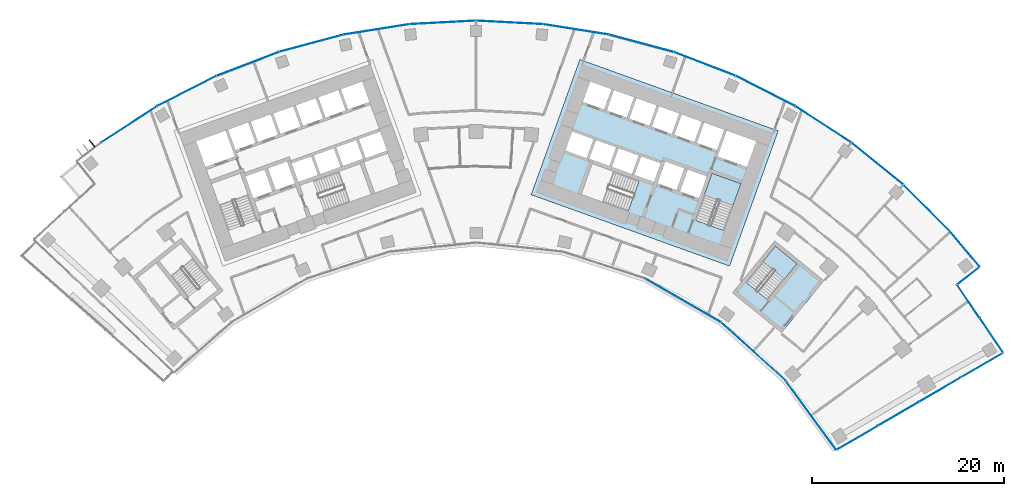
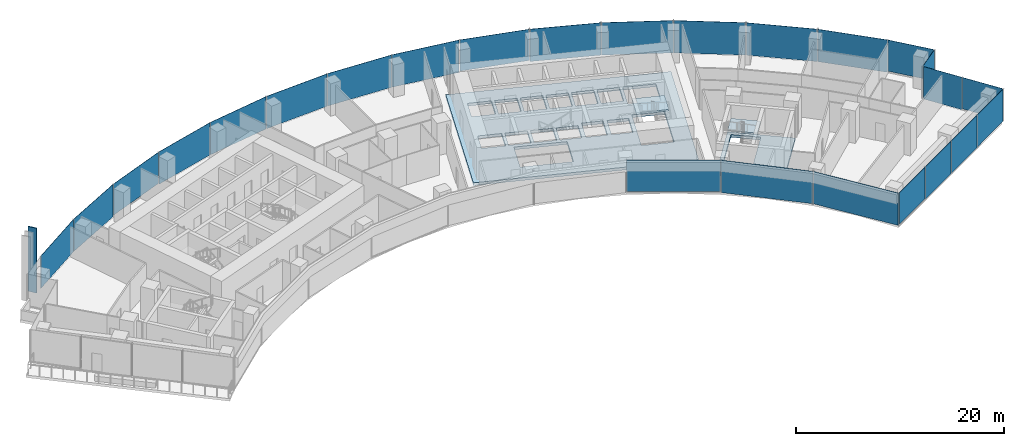
# One storey, part 12 of 20: 26 plates, 4 slabs, 7 elements without a shape of their own.
"""IFC4 building model written with IfcOpenShell, lengths in metres."""

from ifc_helpers import new_model, si_unit, direction, frame, origin, origin_2d, place, context, subcontext, project, spatial, polyline, rectangle, outline, extrude, material, layer, layer_set, type_object, element, aggregate, save


model = new_model("IFC4")

# Units and contexts
model_context = context("Model", 3, precision=1e-05, world=origin(), true_north=direction((0.0, 1.0)))
body_context = subcontext(model_context, "Body", "Model", "MODEL_VIEW")
ifc_project = project(units=[si_unit("LENGTHUNIT", "METRE"), si_unit("AREAUNIT", "SQUARE_METRE"), si_unit("VOLUMEUNIT", "CUBIC_METRE"), si_unit("PLANEANGLEUNIT", "RADIAN"), si_unit("MASSUNIT", "GRAM", prefix="KILO")], contexts=[model_context])

# Site, building, storey
site_placement = place(None, origin())
site = spatial("IfcSite", under=ifc_project, at=site_placement, CompositionType="ELEMENT")
building_placement = place(site_placement, origin())
building = spatial("IfcBuilding", under=site, at=building_placement, Name="Stone Belt Terrace Tower", CompositionType="ELEMENT")
storey_placement = place(building_placement, frame((0.0, 0.0, 125.0)))
storey = spatial("IfcBuildingStorey", under=building, at=storey_placement, Name="L30", CompositionType="ELEMENT", Elevation=125.0)

# Curtain wall, plates
ifc_material_1 = material(Name="Aluminium 6063-T6 anodised frame", Category="aluminium")
ifc_layer_1 = layer(ifc_material_1, 0.14990234375)
ifc_layer_set_1 = layer_set([ifc_layer_1], Name="CW-A unitised convex-face curtain wall")
curtain_wall_type_1 = type_object("IfcCurtainWallType", Name="CW-A unitised convex-face curtain wall", PredefinedType="NOTDEFINED", material=ifc_layer_set_1)
curtain_wall_1_placement = place(storey_placement, origin())
curtain_wall_1 = element("IfcCurtainWall", 1, at=curtain_wall_1_placement, inside=storey, type_object=curtain_wall_type_1, Name="CW-A convex face L30", PredefinedType="NOTDEFINED")
ifc_material_2 = material(Name="Clear double glazed unit")
ifc_layer_2 = layer(ifc_material_2, 0.031982421875)
ifc_layer_set_2 = layer_set([ifc_layer_2], Name="CW-A glass panel 32")
plate_type_1 = type_object("IfcPlateType", Name="CW-A glass panel 32", PredefinedType="CURTAIN_PANEL", material=ifc_layer_set_2)
plate_1_placement = place(storey_placement, frame((50.993896484375, 42.73583984375, 0.14013671875), z_axis=(0.0, 0.0, 1.0), x_axis=(-0.642509184121, 0.766277983711, 0.0)))
plate_1 = element("IfcPlate", 2, at=plate_1_placement, type_object=plate_type_1, Name="CW-A panel 1.1", PredefinedType="CURTAIN_PANEL", context=body_context, shape_type="SweptSolid", body=[
    extrude(rectangle(XDim=4.662841796875, YDim=0.031982421875, at=origin_2d()), origin(), (0.0, 0.0, 1.0), 3.659912109375),
])
plate_2_placement = place(storey_placement, frame((47.01123046875, 47.01123046875, 0.0), z_axis=(0.0, 0.0, 1.0), x_axis=(-0.707106781187, 0.707106781187, 0.0)))
plate_2 = element("IfcPlate", 3, at=plate_2_placement, type_object=plate_type_1, Name="CW-A panel 2.1", PredefinedType="CURTAIN_PANEL", context=body_context, shape_type="SweptSolid", body=[
    extrude(rectangle(XDim=6.90087890625, YDim=0.031982421875, at=origin_2d()), origin(), (0.0, 0.0, 1.0), 3.800048828125),
])
plate_3_placement = place(storey_placement, frame((41.839599609375, 51.667724609375, 0.0), z_axis=(0.0, 0.0, 1.0), x_axis=(-0.777145961457, 0.62932039105, 0.0)))
plate_3 = element("IfcPlate", 4, at=plate_3_placement, type_object=plate_type_1, Name="CW-A panel 3.1", PredefinedType="CURTAIN_PANEL", context=body_context, shape_type="SweptSolid", body=[
    extrude(rectangle(XDim=6.90087890625, YDim=0.031982421875, at=origin_2d()), origin(), (0.0, 0.0, 1.0), 3.800048828125),
])
plate_4_placement = place(storey_placement, frame((36.209716796875, 55.758056640625, 0.0), z_axis=(0.0, 0.0, 1.0), x_axis=(-0.838670567945, 0.544639035015, 0.0)))
plate_4 = element("IfcPlate", 5, at=plate_4_placement, type_object=plate_type_1, Name="CW-A panel 4.1", PredefinedType="CURTAIN_PANEL", context=body_context, shape_type="SweptSolid", body=[
    extrude(rectangle(XDim=6.90087890625, YDim=0.031982421875, at=origin_2d()), origin(), (0.0, 0.0, 1.0), 3.800048828125),
])
plate_5_placement = place(storey_placement, frame((30.18310546875, 59.237548828125, 0.0), z_axis=(0.0, 0.0, 1.0), x_axis=(-0.891006524188, 0.45399049974, 0.0)))
plate_5 = element("IfcPlate", 6, at=plate_5_placement, type_object=plate_type_1, Name="CW-A panel 5.1", PredefinedType="CURTAIN_PANEL", context=body_context, shape_type="SweptSolid", body=[
    extrude(rectangle(XDim=6.90087890625, YDim=0.031982421875, at=origin_2d()), origin(), (0.0, 0.0, 1.0), 3.800048828125),
])
plate_6_placement = place(storey_placement, frame((23.82568359375, 62.068115234375, 0.0), z_axis=(0.0, 0.0, 1.0), x_axis=(-0.933580426497, 0.358367949545, 0.0)))
plate_6 = element("IfcPlate", 7, at=plate_6_placement, type_object=plate_type_1, Name="CW-A panel 6.1", PredefinedType="CURTAIN_PANEL", context=body_context, shape_type="SweptSolid", body=[
    extrude(rectangle(XDim=6.90087890625, YDim=0.031982421875, at=origin_2d()), origin(), (0.0, 0.0, 1.0), 3.800048828125),
])
plate_7_placement = place(storey_placement, frame((17.207275390625, 64.218505859375, 0.14013671875), z_axis=(0.0, 0.0, 1.0), x_axis=(-0.965925826289, 0.258819045103, 0.0)))
plate_7 = element("IfcPlate", 8, at=plate_7_placement, type_object=plate_type_1, Name="CW-A panel 7.1", PredefinedType="CURTAIN_PANEL", context=body_context, shape_type="SweptSolid", body=[
    extrude(rectangle(XDim=6.90087890625, YDim=0.031982421875, at=origin_2d()), origin(), (0.0, 0.0, 1.0), 3.659912109375),
])
plate_8_placement = place(storey_placement, frame((10.400390625, 65.665283203125, 0.0), z_axis=(0.0, 0.0, 1.0), x_axis=(-0.987688340595, 0.15643446504, 0.0)))
plate_8 = element("IfcPlate", 9, at=plate_8_placement, type_object=plate_type_1, Name="CW-A panel 8.1", PredefinedType="CURTAIN_PANEL", context=body_context, shape_type="SweptSolid", body=[
    extrude(rectangle(XDim=6.90087890625, YDim=0.031982421875, at=origin_2d()), origin(), (0.0, 0.0, 1.0), 3.800048828125),
])
plate_9_placement = place(storey_placement, frame((3.4794921875, 66.392822265625, 0.0), z_axis=(0.0, 0.0, 1.0), x_axis=(-0.998629534755, 0.052335956243, 0.0)))
plate_9 = element("IfcPlate", 10, at=plate_9_placement, type_object=plate_type_1, Name="CW-A panel 9.1", PredefinedType="CURTAIN_PANEL", context=body_context, shape_type="SweptSolid", body=[
    extrude(rectangle(XDim=6.90087890625, YDim=0.031982421875, at=origin_2d()), origin(), (0.0, 0.0, 1.0), 3.800048828125),
])
plate_10_placement = place(storey_placement, frame((-3.4794921875, 66.392822265625, 0.0), z_axis=(0.0, 0.0, 1.0), x_axis=(-0.998629534755, -0.052335956243, 0.0)))
plate_10 = element("IfcPlate", 11, at=plate_10_placement, type_object=plate_type_1, Name="CW-A panel 10.1", PredefinedType="CURTAIN_PANEL", context=body_context, shape_type="SweptSolid", body=[
    extrude(rectangle(XDim=6.90087890625, YDim=0.031982421875, at=origin_2d()), origin(), (0.0, 0.0, 1.0), 3.800048828125),
])
plate_11_placement = place(storey_placement, frame((-10.400390625, 65.665283203125, 0.0), z_axis=(0.0, 0.0, 1.0), x_axis=(-0.987688340595, -0.15643446504, 0.0)))
plate_11 = element("IfcPlate", 12, at=plate_11_placement, type_object=plate_type_1, Name="CW-A panel 11.1", PredefinedType="CURTAIN_PANEL", context=body_context, shape_type="SweptSolid", body=[
    extrude(rectangle(XDim=6.90087890625, YDim=0.031982421875, at=origin_2d()), origin(), (0.0, 0.0, 1.0), 3.800048828125),
])
plate_12_placement = place(storey_placement, frame((-17.207275390625, 64.218505859375, 0.0), z_axis=(0.0, 0.0, 1.0), x_axis=(-0.965925826289, -0.258819045103, 0.0)))
plate_12 = element("IfcPlate", 13, at=plate_12_placement, type_object=plate_type_1, Name="CW-A panel 12.1", PredefinedType="CURTAIN_PANEL", context=body_context, shape_type="SweptSolid", body=[
    extrude(rectangle(XDim=6.90087890625, YDim=0.031982421875, at=origin_2d()), origin(), (0.0, 0.0, 1.0), 3.800048828125),
])
plate_13_placement = place(storey_placement, frame((-23.82568359375, 62.068115234375, 0.14013671875), z_axis=(0.0, 0.0, 1.0), x_axis=(-0.933580426497, -0.358367949545, 0.0)))
plate_13 = element("IfcPlate", 14, at=plate_13_placement, type_object=plate_type_1, Name="CW-A panel 13.1", PredefinedType="CURTAIN_PANEL", context=body_context, shape_type="SweptSolid", body=[
    extrude(rectangle(XDim=6.90087890625, YDim=0.031982421875, at=origin_2d()), origin(), (0.0, 0.0, 1.0), 3.659912109375),
])
plate_14_placement = place(storey_placement, frame((-30.18310546875, 59.237548828125, 0.0), z_axis=(0.0, 0.0, 1.0), x_axis=(-0.891006524188, -0.45399049974, 0.0)))
plate_14 = element("IfcPlate", 15, at=plate_14_placement, type_object=plate_type_1, Name="CW-A panel 14.1", PredefinedType="CURTAIN_PANEL", context=body_context, shape_type="SweptSolid", body=[
    extrude(rectangle(XDim=6.90087890625, YDim=0.031982421875, at=origin_2d()), origin(), (0.0, 0.0, 1.0), 3.800048828125),
])
plate_15_placement = place(storey_placement, frame((-36.209716796875, 55.758056640625, 0.0), z_axis=(0.0, 0.0, 1.0), x_axis=(-0.838670567945, -0.544639035015, 0.0)))
plate_15 = element("IfcPlate", 16, at=plate_15_placement, type_object=plate_type_1, Name="CW-A panel 15.1", PredefinedType="CURTAIN_PANEL", context=body_context, shape_type="SweptSolid", body=[
    extrude(rectangle(XDim=6.900634765625, YDim=0.031982421875, at=origin_2d()), origin(), (0.0, 0.0, 1.0), 3.800048828125),
])
aggregate(curtain_wall_1, [plate_1, plate_2, plate_3, plate_4, plate_5, plate_6, plate_7, plate_8, plate_9, plate_10, plate_11, plate_12, plate_13, plate_14, plate_15])

ifc_layer_3 = layer(ifc_material_1, 0.14990234375)
ifc_layer_set_3 = layer_set([ifc_layer_3], Name="CW-B unitised concave-face curtain wall")
curtain_wall_type_2 = type_object("IfcCurtainWallType", Name="CW-B unitised concave-face curtain wall", PredefinedType="NOTDEFINED", material=ifc_layer_set_3)
curtain_wall_2_placement = place(storey_placement, origin())
curtain_wall_2 = element("IfcCurtainWall", 17, at=curtain_wall_2_placement, inside=storey, type_object=curtain_wall_type_2, Name="CW-B concave face L30", PredefinedType="NOTDEFINED")
ifc_layer_4 = layer(ifc_material_2, 0.030029296875)
ifc_layer_set_4 = layer_set([ifc_layer_4], Name="CW-B glass panel 30")
plate_type_2 = type_object("IfcPlateType", Name="CW-B glass panel 30", PredefinedType="CURTAIN_PANEL", material=ifc_layer_set_4)
plate_16_placement = place(storey_placement, frame((21.59326171875, 37.40087890625, 0.1201171875), z_axis=(0.0, 0.0, 1.0), x_axis=(0.866025403784, -0.5, 0.0)))
plate_16 = element("IfcPlate", 18, at=plate_16_placement, type_object=plate_type_2, Name="CW-B panel 7.1", PredefinedType="CURTAIN_PANEL", context=body_context, shape_type="SweptSolid", body=[
    extrude(rectangle(XDim=9.0126953125, YDim=0.030029296875, at=origin_2d()), origin(), (0.0, 0.0, 1.0), 3.679931640625),
])
plate_17_placement = place(storey_placement, frame((28.897705078125, 32.093994140625, 0.0), z_axis=(0.0, 0.0, 1.0), x_axis=(0.743144825477, -0.669130606359, 0.0)))
plate_17 = element("IfcPlate", 19, at=plate_17_placement, type_object=plate_type_2, Name="CW-B panel 8.1", PredefinedType="CURTAIN_PANEL", context=body_context, shape_type="SweptSolid", body=[
    extrude(rectangle(XDim=9.012939453125, YDim=0.030029296875, at=origin_2d()), origin(), (0.0, 0.0, 1.0), 3.800048828125),
])
plate_18_placement = place(storey_placement, frame((34.91162109375, 25.435546875, 0.0), z_axis=(0.0, 0.0, 1.0), x_axis=(0.589224850374, -0.80796910566, 0.0)))
plate_18 = element("IfcPlate", 20, at=plate_18_placement, type_object=plate_type_2, Name="CW-B panel 9.1", PredefinedType="CURTAIN_PANEL", context=body_context, shape_type="SweptSolid", body=[
    extrude(rectangle(XDim=8.898193359375, YDim=0.030029296875, at=origin_2d()), origin(), (0.0, 0.0, 1.0), 3.800048828125),
])
aggregate(curtain_wall_2, [plate_16, plate_17, plate_18])

ifc_layer_5 = layer(ifc_material_1, 0.14990234375)
ifc_layer_set_5 = layer_set([ifc_layer_5], Name="CW-C stick curtain wall, horn ends and notches")
curtain_wall_type_3 = type_object("IfcCurtainWallType", Name="CW-C stick curtain wall, horn ends and notches", PredefinedType="NOTDEFINED", material=ifc_layer_set_5)
curtain_wall_3_placement = place(storey_placement, origin())
curtain_wall_3 = element("IfcCurtainWall", 21, at=curtain_wall_3_placement, inside=storey, type_object=curtain_wall_type_3, Name="CW-C end face L30", PredefinedType="NOTDEFINED")
ifc_layer_6 = layer(ifc_material_2, 0.028076171875)
ifc_layer_set_6 = layer_set([ifc_layer_6], Name="CW-C glass panel 28")
plate_type_3 = type_object("IfcPlateType", Name="CW-C glass panel 28", PredefinedType="CURTAIN_PANEL", material=ifc_layer_set_6)
plate_19_placement = place(storey_placement, frame((39.781982421875, 23.070556640625, 0.1201171875), z_axis=(0.0, 0.0, 1.0), x_axis=(0.864239322284, 0.503080901861, 0.0)))
plate_19 = element("IfcPlate", 22, at=plate_19_placement, type_object=plate_type_3, Name="CW-C panel 1.1", PredefinedType="CURTAIN_PANEL", context=body_context, shape_type="SweptSolid", body=[
    extrude(rectangle(XDim=4.965087890625, YDim=0.028076171875, at=origin_2d()), origin(), (0.0, 0.0, 1.0), 3.679931640625),
])
plate_20_placement = place(storey_placement, frame((44.114013671875, 25.59228515625, 0.0), z_axis=(0.0, 0.0, 1.0), x_axis=(0.864239322284, 0.503080901861, 0.0)))
plate_20 = element("IfcPlate", 23, at=plate_20_placement, type_object=plate_type_3, Name="CW-C panel 2.1", PredefinedType="CURTAIN_PANEL", context=body_context, shape_type="SweptSolid", body=[
    extrude(rectangle(XDim=4.93994140625, YDim=0.028076171875, at=origin_2d()), origin(), (0.0, 0.0, 1.0), 3.800048828125),
])
plate_21_placement = place(storey_placement, frame((48.43505859375, 28.107666015625, 0.0), z_axis=(0.0, 0.0, 1.0), x_axis=(0.864239322284, 0.503080901861, 0.0)))
plate_21 = element("IfcPlate", 24, at=plate_21_placement, type_object=plate_type_3, Name="CW-C panel 3.1", PredefinedType="CURTAIN_PANEL", context=body_context, shape_type="SweptSolid", body=[
    extrude(rectangle(XDim=4.93994140625, YDim=0.028076171875, at=origin_2d()), origin(), (0.0, 0.0, 1.0), 3.800048828125),
])
plate_22_placement = place(storey_placement, frame((52.771484375, 30.6318359375, 0.0), z_axis=(0.0, 0.0, 1.0), x_axis=(0.864239322284, 0.503080901861, 0.0)))
plate_22 = element("IfcPlate", 25, at=plate_22_placement, type_object=plate_type_3, Name="CW-C panel 4.1", PredefinedType="CURTAIN_PANEL", context=body_context, shape_type="SweptSolid", body=[
    extrude(rectangle(XDim=4.974853515625, YDim=0.028076171875, at=origin_2d()), origin(), (0.0, 0.0, 1.0), 3.800048828125),
])
aggregate(curtain_wall_3, [plate_19, plate_20, plate_21, plate_22])

curtain_wall_4_placement = place(storey_placement, origin())
curtain_wall_4 = element("IfcCurtainWall", 26, at=curtain_wall_4_placement, inside=storey, type_object=curtain_wall_type_3, Name="CW-C notch face L30", PredefinedType="NOTDEFINED")
plate_23_placement = place(storey_placement, frame((53.748046875, 33.751220703125, 0.1201171875), z_axis=(0.0, 0.0, 1.0), x_axis=(-0.560367245622, 0.828244257471, 0.0)))
plate_23 = element("IfcPlate", 27, at=plate_23_placement, type_object=plate_type_3, Name="CW-C panel 1.1", PredefinedType="CURTAIN_PANEL", context=body_context, shape_type="SweptSolid", body=[
    extrude(rectangle(XDim=4.268798828125, YDim=0.028076171875, at=origin_2d()), origin(), (0.0, 0.0, 1.0), 3.679931640625),
])
plate_24_placement = place(storey_placement, frame((51.364013671875, 37.275146484375, 0.0), z_axis=(0.0, 0.0, 1.0), x_axis=(-0.560367245622, 0.828244257471, 0.0)))
plate_24 = element("IfcPlate", 28, at=plate_24_placement, type_object=plate_type_3, Name="CW-C panel 2.1", PredefinedType="CURTAIN_PANEL", context=body_context, shape_type="SweptSolid", body=[
    extrude(rectangle(XDim=4.12060546875, YDim=0.028076171875, at=origin_2d()), origin(), (0.0, 0.0, 1.0), 3.800048828125),
])
aggregate(curtain_wall_4, [plate_23, plate_24])

# Curtain wall, plate
curtain_wall_5_placement = place(storey_placement, origin())
curtain_wall_5 = element("IfcCurtainWall", 29, at=curtain_wall_5_placement, inside=storey, type_object=curtain_wall_type_3, Name="CW-C notch face L30", PredefinedType="NOTDEFINED")
plate_25_placement = place(storey_placement, frame((51.353515625, 39.966552734375, 0.1201171875), z_axis=(0.0, 0.0, 1.0), x_axis=(0.788458012337, 0.615088581248, 0.0)))
plate_25 = element("IfcPlate", 30, at=plate_25_placement, type_object=plate_type_3, Name="CW-C panel 1.1", PredefinedType="CURTAIN_PANEL", context=body_context, shape_type="SweptSolid", body=[
    extrude(rectangle(XDim=2.859619140625, YDim=0.028076171875, at=origin_2d()), origin(), (0.0, 0.0, 1.0), 3.679931640625),
])
aggregate(curtain_wall_5, [plate_25])

# Slabs
ifc_material_3 = material(Name="Concrete B40", Category="concrete")
ifc_layer_7 = layer(ifc_material_3, 0.320068359375)
ifc_layer_set_7 = layer_set([ifc_layer_7], Name="Core floor slab 320")
slab_type_1 = type_object("IfcSlabType", Name="Core floor slab 320", PredefinedType="FLOOR", material=ifc_layer_set_7)
slab_1_placement = place(storey_placement, frame((0.0, 0.0, -0.320068359375)))
element("IfcSlab", 31, at=slab_1_placement, inside=storey, type_object=slab_type_1, Name="Core B floor L30", PredefinedType="FLOOR", context=body_context, shape_type="SweptSolid", body=[
    extrude(outline(polyline([(26.43505859375, 40.968994140625), (31.513916015625, 55.0830078125), (10.81396484375, 62.531982421875), (5.735107421875, 48.4189453125), (26.43505859375, 40.968994140625)]), holes=[polyline([(12.10595703125, 51.652099609375), (16.998046875, 49.89208984375), (15.846923828125, 46.69189453125), (10.955078125, 48.452880859375), (12.10595703125, 51.652099609375)]), polyline([(19.239990234375, 51.68896484375), (18.5458984375, 49.760009765625), (16.52294921875, 50.488037109375), (17.217041015625, 52.4169921875), (19.239990234375, 51.68896484375)]), polyline([(16.239990234375, 50.589111328125), (14.169921875, 51.333984375), (14.864013671875, 53.262939453125), (16.93408203125, 52.51806640625), (16.239990234375, 50.589111328125)]), polyline([(14.58203125, 53.364990234375), (13.887939453125, 51.43603515625), (11.864990234375, 52.1640625), (11.847900390625, 52.116943359375), (11.801025390625, 52.134033203125), (12.511962890625, 54.110107421875), (14.58203125, 53.364990234375)]), polyline([(9.30810546875, 53.031005859375), (10.01904296875, 55.007080078125), (12.22998046875, 54.2109375), (11.51904296875, 52.235107421875), (9.30810546875, 53.031005859375)]), polyline([(16.743896484375, 58.485107421875), (18.81396484375, 57.739990234375), (18.052001953125, 55.623046875), (15.98193359375, 56.367919921875), (16.743896484375, 58.485107421875)]), polyline([(14.39111328125, 59.33203125), (16.4609375, 58.5869140625), (15.699951171875, 56.469970703125), (13.6298828125, 57.215087890625), (14.39111328125, 59.33203125)]), polyline([(11.89794921875, 60.22900390625), (14.10888671875, 59.43408203125), (13.346923828125, 57.31591796875), (11.135986328125, 58.112060546875), (11.89794921875, 60.22900390625)]), polyline([(25.85888671875, 44.68408203125), (22.847900390625, 45.76806640625), (24.60791015625, 50.659912109375), (27.618896484375, 49.575927734375), (25.85888671875, 44.68408203125)]), polyline([(21.27392578125, 48.778076171875), (22.0869140625, 51.035888671875), (24.06298828125, 50.324951171875), (23.25, 48.06689453125), (21.27392578125, 48.778076171875)]), polyline([(18.922119140625, 49.6240234375), (19.735107421875, 51.883056640625), (21.7109375, 51.1708984375), (20.89794921875, 48.9130859375), (18.922119140625, 49.6240234375)]), polyline([(29.2109375, 53.9990234375), (28.24609375, 51.31689453125), (25.18798828125, 52.41796875), (26.153076171875, 55.09912109375), (29.2109375, 53.9990234375)]), polyline([(23.801025390625, 55.946044921875), (25.87109375, 55.200927734375), (25.10888671875, 53.083984375), (23.0390625, 53.8291015625), (23.801025390625, 55.946044921875)]), polyline([(21.447998046875, 56.7919921875), (23.51806640625, 56.047119140625), (22.756103515625, 53.929931640625), (20.68603515625, 54.675048828125), (21.447998046875, 56.7919921875)]), polyline([(19.095947265625, 57.638916015625), (21.166015625, 56.89404296875), (20.404052734375, 54.777099609375), (18.333984375, 55.52197265625), (19.095947265625, 57.638916015625)])]), origin(), (0.0, 0.0, 1.0), 0.320068359375),
])
slab_2_placement = place(storey_placement, frame((0.0, 0.0, -0.320068359375)))
element("IfcSlab", 32, at=slab_2_placement, inside=storey, type_object=slab_type_1, Name="Exit stair ST3B floor L30", PredefinedType="FLOOR", context=body_context, shape_type="SweptSolid", body=[
    extrude(outline(polyline([(26.741943359375, 38.18408203125), (31.866943359375, 34.02392578125), (36.278076171875, 39.458984375), (31.154052734375, 43.618896484375), (26.741943359375, 38.18408203125)]), holes=[polyline([(30.407958984375, 37.462890625), (28.156005859375, 39.291015625), (31.2119140625, 43.055908203125), (33.464111328125, 41.22802734375), (30.407958984375, 37.462890625)])]), origin(), (0.0, 0.0, 1.0), 0.320068359375),
])

# Stair, slab
stair_type = type_object("IfcStairType", Name="Exit stair 1500", PredefinedType="HALF_TURN_STAIR", material=ifc_material_3)
stair_1_placement = place(storey_placement, origin())
stair_1 = element("IfcStair", 33, at=stair_1_placement, inside=storey, type_object=stair_type, Name="L30 Exit stair 1 core B", PredefinedType="HALF_TURN_STAIR")
ifc_layer_8 = layer(ifc_material_3, 0.199951171875)
ifc_layer_set_8 = layer_set([ifc_layer_8], Name="Stair landing 200")
slab_type_2 = type_object("IfcSlabType", Name="Stair landing 200", PredefinedType="LANDING", material=ifc_layer_set_8)
slab_3_placement = place(storey_placement, frame((0.0, 0.0, 1.699951171875)))
slab_3 = element("IfcSlab", 34, at=slab_3_placement, type_object=slab_type_2, Name="ST1B landing 1", PredefinedType="LANDING", context=body_context, shape_type="SweptSolid", body=[
    extrude(outline(polyline([(26.806396484375, 47.3173828125), (27.619384765625, 49.576171875), (24.6083984375, 50.659912109375), (23.79541015625, 48.40087890625), (26.806396484375, 47.3173828125)])), origin(), (0.0, 0.0, 1.0), 0.199951171875),
])
aggregate(stair_1, [slab_3])

stair_2_placement = place(storey_placement, origin())
stair_2 = element("IfcStair", 35, at=stair_2_placement, inside=storey, type_object=stair_type, Name="L30 Exit stair 3B", PredefinedType="HALF_TURN_STAIR")
slab_4_placement = place(storey_placement, frame((0.0, 0.0, 1.699951171875)))
slab_4 = element("IfcSlab", 36, at=slab_4_placement, type_object=slab_type_2, Name="ST3B landing 1", PredefinedType="LANDING", context=body_context, shape_type="SweptSolid", body=[
    extrude(outline(polyline([(32.17138671875, 39.635986328125), (33.4638671875, 41.228271484375), (31.21240234375, 43.055908203125), (29.919921875, 41.463623046875), (32.17138671875, 39.635986328125)])), origin(), (0.0, 0.0, 1.0), 0.199951171875),
])
aggregate(stair_2, [slab_4])

# Plate
ifc_material_4 = material(Name="Terracotta coloured glazed ceramic", Category="masonry")
ifc_layer_9 = layer(ifc_material_4, 0.10009765625)
ifc_layer_set_9 = layer_set([ifc_layer_9], Name="Terracotta fin 100 x 900")
plate_type_4 = type_object("IfcPlateType", Name="Terracotta fin 100 x 900", PredefinedType="SHEET", material=ifc_layer_set_9)
plate_26_placement = place(storey_placement, frame((-40.089599609375, 53.78955078125, 0.0), z_axis=(0.0, 0.0, 1.0), x_axis=(-0.606733355184, 0.794905425637, 0.0)))
element("IfcPlate", 37, at=plate_26_placement, inside=storey, type_object=plate_type_4, Name="FIN L30 16.2", PredefinedType="SHEET", context=body_context, shape_type="SweptSolid", body=[
    extrude(rectangle(XDim=0.89990234375, YDim=0.10009765625, at=origin_2d()), origin(), (0.0, 0.0, 1.0), 7.60009765625),
])

save(model, "model.ifc")
